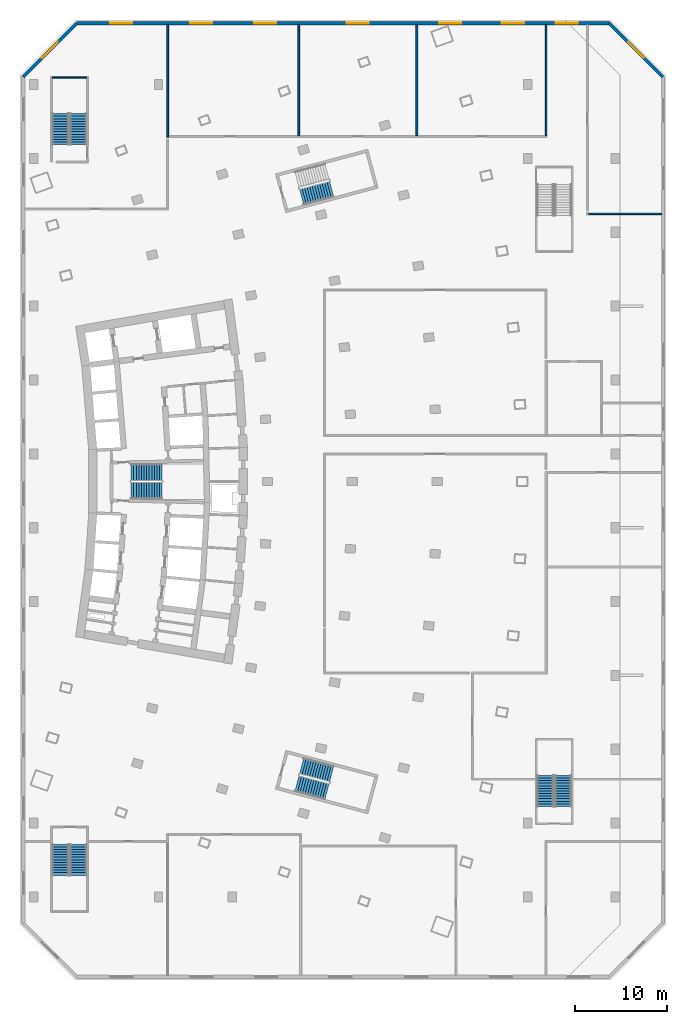
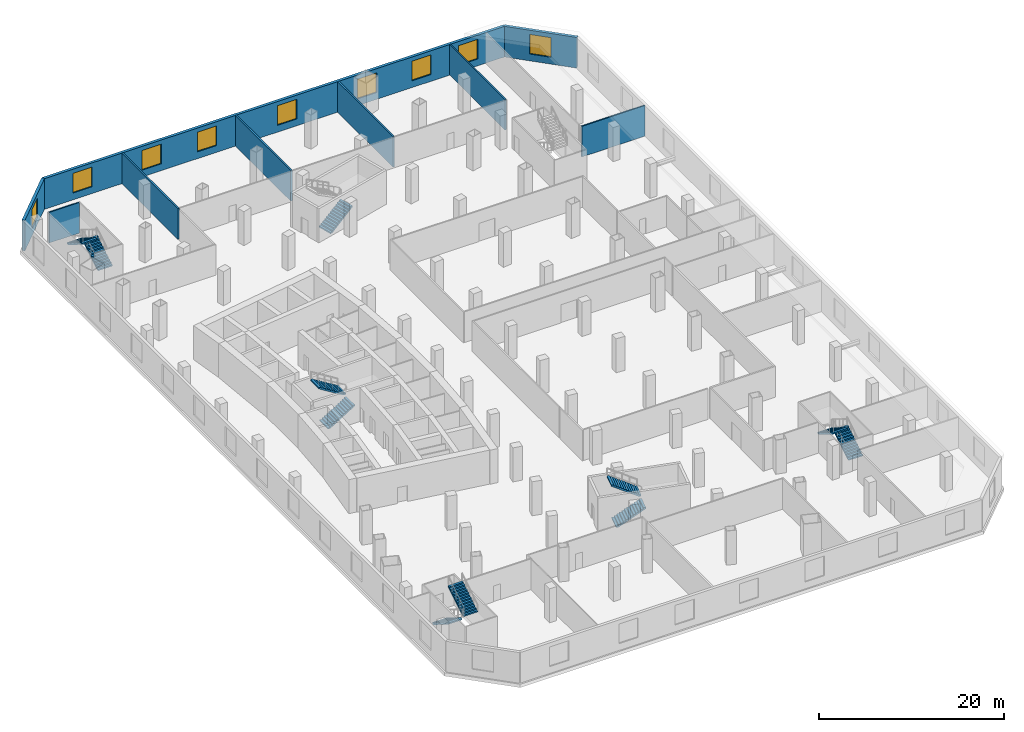
# One storey, part 10 of 16: 11 stair flights, 9 walls, 9 windows, 9 openings, 6 elements without a shape of their own.
"""IFC4 building model written with IfcOpenShell, lengths in metres."""

from ifc_helpers import new_model, si_unit, direction, frame, frame_2d, origin, place, context, subcontext, project, spatial, polyline, rectangle, outline, extrude, material, layer, layer_set, type_object, element, fill, aggregate, save


model = new_model("IFC4")

# Units and contexts
model_context = context("Model", 3, precision=1e-05, world=origin(), true_north=direction((0.0, 1.0)))
body_context = subcontext(model_context, "Body", "Model", "MODEL_VIEW")
ifc_project = project(units=[si_unit("LENGTHUNIT", "METRE"), si_unit("AREAUNIT", "SQUARE_METRE"), si_unit("VOLUMEUNIT", "CUBIC_METRE"), si_unit("PLANEANGLEUNIT", "RADIAN"), si_unit("MASSUNIT", "GRAM", prefix="KILO")], contexts=[model_context])

# Site, building, storey
site_placement = place(None, origin())
site = spatial("IfcSite", under=ifc_project, at=site_placement, CompositionType="ELEMENT")
building_placement = place(site_placement, origin())
building = spatial("IfcBuilding", under=site, at=building_placement, Name="Alderwake Tower", CompositionType="ELEMENT")
storey_placement = place(building_placement, frame((0.0, 0.0, 18.5)))
storey = spatial("IfcBuildingStorey", under=building, at=storey_placement, Name="L03", CompositionType="ELEMENT", Elevation=18.5)

# Walls
ifc_material_1 = material(Name="Gypsum board on metal studs, rated")
ifc_layer_1 = layer(ifc_material_1, 0.159912109375)
ifc_layer_set_1 = layer_set([ifc_layer_1], Name="Corridor wall 160")
wall_type_1 = type_object("IfcWallType", Name="Corridor wall 160", PredefinedType="PARTITIONING", material=ifc_layer_set_1)
wall_1_placement = place(storey_placement, frame((66.0, 110.4990234375, 0.0), z_axis=(0.0, 0.0, 1.0), x_axis=(0.0, -1.0, 0.0)))
element("IfcWall", 1, at=wall_1_placement, inside=storey, type_object=wall_type_1, Name="WL/L03/W50", PredefinedType="PARTITIONING", context=body_context, shape_type="SweptSolid", body=[
    extrude(rectangle(XDim=12.01904296875, YDim=0.159912109375, at=frame_2d((6.009521484375, 0.0))), origin(), (0.0, 0.0, 1.0), 4.050048828125),
])
wall_2_placement = place(storey_placement, frame((78.5009765625, 90.0, 0.0), z_axis=(0.0, 0.0, 1.0), x_axis=(-1.0, 0.0, 0.0)))
element("IfcWall", 2, at=wall_2_placement, inside=storey, type_object=wall_type_1, Name="WL/L03/W57", PredefinedType="PARTITIONING", context=body_context, shape_type="SweptSolid", body=[
    extrude(rectangle(XDim=7.9208984375, YDim=0.159912109375, at=frame_2d((3.96044921875, 0.0))), origin(), (0.0, 0.0, 1.0), 4.050048828125),
])

# Wall, opening, window
ifc_material_2 = material(Name="Precast concrete C50/60 spandrel panel", Category="concrete")
ifc_layer_2 = layer(ifc_material_2, 0.35009765625)
ifc_layer_set_2 = layer_set([ifc_layer_2], Name="External wall EW4 Precast concrete C50/60 podium")
wall_type_2 = type_object("IfcWallType", Name="External wall EW4 Precast concrete C50/60 podium", PredefinedType="SOLIDWALL", material=ifc_layer_set_2)
wall_3_placement = place(storey_placement, frame((78.64990234375, 104.85498046875, 0.0), z_axis=(0.0, 0.0, 1.0), x_axis=(-0.707091913039, 0.707121649021, 0.0)))
wall_3 = element("IfcWall", 3, at=wall_3_placement, inside=storey, type_object=wall_type_2, Name="External wall 4", PredefinedType="SOLIDWALL", context=body_context, shape_type="SweptSolid", body=[
    extrude(rectangle(XDim=8.210205078125, YDim=0.35009765625, at=frame_2d((4.10498046875, 0.0))), origin(), (0.0, 0.0, 1.0), 4.050048828125),
])
opening_1_placement = place(wall_3_placement, frame((2.9052734375, 0.0, 0.89990234375)))
opening_1 = element("IfcOpeningElement", 4, at=opening_1_placement, cuts=wall_3, Name="Opening W6", PredefinedType="OPENING", context=body_context, shape_type="SweptSolid", body=[
    extrude(rectangle(XDim=2.39990234375, YDim=2.60009765625, at=frame_2d((1.199951171875, 1.300048828125))), frame((0.0, 0.18505859375, 0.0), z_axis=(0.0, -1.0, 0.0), x_axis=(1.0, 0.0, 0.0)), (0.0, 0.0, 1.0), 0.3701171875),
])
ifc_material_3 = material(Name="Bronze tinted glass in aluminium frame", Category="aluminium")
window_type = type_object("IfcWindowType", Name="Window W6 podium", PartitioningType="DOUBLE_PANEL_VERTICAL", PredefinedType="WINDOW", material=ifc_material_3)
window_1_placement = place(opening_1_placement, origin())
window_1 = element("IfcWindow", 5, at=window_1_placement, inside=storey, type_object=window_type, Name="Window W6 podium", OverallHeight=2.60009765625, OverallWidth=2.39990234375, PartitioningType="DOUBLE_PANEL_VERTICAL", PredefinedType="WINDOW", context=body_context, shape_type="SweptSolid", body=[
    extrude(rectangle(XDim=2.39990234375, YDim=2.60009765625, at=frame_2d((1.199951171875, 1.300048828125))), frame((0.0, 0.030029296875, 0.0), z_axis=(0.0, -1.0, 0.0), x_axis=(1.0, 0.0, 0.0)), (0.0, 0.0, 1.0), 0.06005859375),
])
fill(opening_1, window_1)

# Wall, openings, windows
wall_4_placement = place(storey_placement, frame((72.85498046875, 110.64990234375, 0.0), z_axis=(0.0, 0.0, 1.0), x_axis=(-1.0, 0.0, 0.0)))
wall_4 = element("IfcWall", 6, at=wall_4_placement, inside=storey, type_object=wall_type_2, Name="External wall 5", PredefinedType="SOLIDWALL", context=body_context, shape_type="SweptSolid", body=[
    extrude(rectangle(XDim=57.72509765625, YDim=0.35009765625, at=frame_2d((28.862548828125, 0.0))), origin(), (0.0, 0.0, 1.0), 4.050048828125),
])
opening_2_placement = place(wall_4_placement, frame((3.405029296875, 0.0, 0.89990234375)))
opening_2 = element("IfcOpeningElement", 7, at=opening_2_placement, cuts=wall_4, Name="Opening W6", PredefinedType="OPENING", context=body_context, shape_type="SweptSolid", body=[
    extrude(rectangle(XDim=2.39990234375, YDim=2.60009765625, at=frame_2d((1.199951171875, 1.300048828125))), frame((0.0, 0.18505859375, 0.0), z_axis=(0.0, -1.0, 0.0), x_axis=(1.0, 0.0, 0.0)), (0.0, 0.0, 1.0), 0.3701171875),
])
opening_3_placement = place(wall_4_placement, frame((9.240234375, 0.0, 0.89990234375)))
opening_3 = element("IfcOpeningElement", 8, at=opening_3_placement, cuts=wall_4, Name="Opening W6", PredefinedType="OPENING", context=body_context, shape_type="SweptSolid", body=[
    extrude(rectangle(XDim=2.39990234375, YDim=2.60009765625, at=frame_2d((1.199951171875, 1.300048828125))), frame((0.0, 0.18505859375, 0.0), z_axis=(0.0, -1.0, 0.0), x_axis=(1.0, 0.0, 0.0)), (0.0, 0.0, 1.0), 0.3701171875),
])
opening_4_placement = place(wall_4_placement, frame((16.05078125, 0.0, 0.89990234375)))
opening_4 = element("IfcOpeningElement", 9, at=opening_4_placement, cuts=wall_4, Name="Opening W6", PredefinedType="OPENING", context=body_context, shape_type="SweptSolid", body=[
    extrude(rectangle(XDim=2.39990234375, YDim=2.60009765625, at=frame_2d((1.199951171875, 1.300048828125))), frame((0.0, 0.18505859375, 0.0), z_axis=(0.0, -1.0, 0.0), x_axis=(1.0, 0.0, 0.0)), (0.0, 0.0, 1.0), 0.3701171875),
])
opening_5_placement = place(wall_4_placement, frame((26.054931640625, 0.0, 0.89990234375)))
opening_5 = element("IfcOpeningElement", 10, at=opening_5_placement, cuts=wall_4, Name="Opening W6", PredefinedType="OPENING", context=body_context, shape_type="SweptSolid", body=[
    extrude(rectangle(XDim=2.39990234375, YDim=2.60009765625, at=frame_2d((1.199951171875, 1.300048828125))), frame((0.0, 0.18505859375, 0.0), z_axis=(0.0, -1.0, 0.0), x_axis=(1.0, 0.0, 0.0)), (0.0, 0.0, 1.0), 0.3701171875),
])
opening_6_placement = place(wall_4_placement, frame((36.1044921875, 0.0, 0.89990234375)))
opening_6 = element("IfcOpeningElement", 11, at=opening_6_placement, cuts=wall_4, Name="Opening W6", PredefinedType="OPENING", context=body_context, shape_type="SweptSolid", body=[
    extrude(rectangle(XDim=2.39990234375, YDim=2.60009765625, at=frame_2d((1.199951171875, 1.300048828125))), frame((0.0, 0.18505859375, 0.0), z_axis=(0.0, -1.0, 0.0), x_axis=(1.0, 0.0, 0.0)), (0.0, 0.0, 1.0), 0.3701171875),
])
opening_7_placement = place(wall_4_placement, frame((43.005615234375, 0.0, 0.89990234375)))
opening_7 = element("IfcOpeningElement", 12, at=opening_7_placement, cuts=wall_4, Name="Opening W6", PredefinedType="OPENING", context=body_context, shape_type="SweptSolid", body=[
    extrude(rectangle(XDim=2.39990234375, YDim=2.60009765625, at=frame_2d((1.199951171875, 1.300048828125))), frame((0.0, 0.18505859375, 0.0), z_axis=(0.0, -1.0, 0.0), x_axis=(1.0, 0.0, 0.0)), (0.0, 0.0, 1.0), 0.3701171875),
])
opening_8_placement = place(wall_4_placement, frame((51.6904296875, 0.0, 0.89990234375)))
opening_8 = element("IfcOpeningElement", 13, at=opening_8_placement, cuts=wall_4, Name="Opening W6", PredefinedType="OPENING", context=body_context, shape_type="SweptSolid", body=[
    extrude(rectangle(XDim=2.39990234375, YDim=2.60009765625, at=frame_2d((1.199951171875, 1.300048828125))), frame((0.0, 0.18505859375, 0.0), z_axis=(0.0, -1.0, 0.0), x_axis=(1.0, 0.0, 0.0)), (0.0, 0.0, 1.0), 0.3701171875),
])
window_2_placement = place(opening_2_placement, origin())
window_2 = element("IfcWindow", 14, at=window_2_placement, inside=storey, type_object=window_type, Name="Window W6 podium", OverallHeight=2.60009765625, OverallWidth=2.39990234375, PartitioningType="DOUBLE_PANEL_VERTICAL", PredefinedType="WINDOW", context=body_context, shape_type="SweptSolid", body=[
    extrude(rectangle(XDim=2.39990234375, YDim=2.60009765625, at=frame_2d((1.199951171875, 1.300048828125))), frame((0.0, 0.030029296875, 0.0), z_axis=(0.0, -1.0, 0.0), x_axis=(1.0, 0.0, 0.0)), (0.0, 0.0, 1.0), 0.06005859375),
])
fill(opening_2, window_2)
window_3_placement = place(opening_3_placement, origin())
window_3 = element("IfcWindow", 15, at=window_3_placement, inside=storey, type_object=window_type, Name="Window W6 podium", OverallHeight=2.60009765625, OverallWidth=2.39990234375, PartitioningType="DOUBLE_PANEL_VERTICAL", PredefinedType="WINDOW", context=body_context, shape_type="SweptSolid", body=[
    extrude(rectangle(XDim=2.39990234375, YDim=2.60009765625, at=frame_2d((1.199951171875, 1.300048828125))), frame((0.0, 0.030029296875, 0.0), z_axis=(0.0, -1.0, 0.0), x_axis=(1.0, 0.0, 0.0)), (0.0, 0.0, 1.0), 0.06005859375),
])
fill(opening_3, window_3)
window_4_placement = place(opening_4_placement, origin())
window_4 = element("IfcWindow", 16, at=window_4_placement, inside=storey, type_object=window_type, Name="Window W6 podium", OverallHeight=2.60009765625, OverallWidth=2.39990234375, PartitioningType="DOUBLE_PANEL_VERTICAL", PredefinedType="WINDOW", context=body_context, shape_type="SweptSolid", body=[
    extrude(rectangle(XDim=2.39990234375, YDim=2.60009765625, at=frame_2d((1.199951171875, 1.300048828125))), frame((0.0, 0.030029296875, 0.0), z_axis=(0.0, -1.0, 0.0), x_axis=(1.0, 0.0, 0.0)), (0.0, 0.0, 1.0), 0.06005859375),
])
fill(opening_4, window_4)
window_5_placement = place(opening_5_placement, origin())
window_5 = element("IfcWindow", 17, at=window_5_placement, inside=storey, type_object=window_type, Name="Window W6 podium", OverallHeight=2.60009765625, OverallWidth=2.39990234375, PartitioningType="DOUBLE_PANEL_VERTICAL", PredefinedType="WINDOW", context=body_context, shape_type="SweptSolid", body=[
    extrude(rectangle(XDim=2.39990234375, YDim=2.60009765625, at=frame_2d((1.199951171875, 1.300048828125))), frame((0.0, 0.030029296875, 0.0), z_axis=(0.0, -1.0, 0.0), x_axis=(1.0, 0.0, 0.0)), (0.0, 0.0, 1.0), 0.06005859375),
])
fill(opening_5, window_5)
window_6_placement = place(opening_6_placement, origin())
window_6 = element("IfcWindow", 18, at=window_6_placement, inside=storey, type_object=window_type, Name="Window W6 podium", OverallHeight=2.60009765625, OverallWidth=2.39990234375, PartitioningType="DOUBLE_PANEL_VERTICAL", PredefinedType="WINDOW", context=body_context, shape_type="SweptSolid", body=[
    extrude(rectangle(XDim=2.39990234375, YDim=2.60009765625, at=frame_2d((1.199951171875, 1.300048828125))), frame((0.0, 0.030029296875, 0.0), z_axis=(0.0, -1.0, 0.0), x_axis=(1.0, 0.0, 0.0)), (0.0, 0.0, 1.0), 0.06005859375),
])
fill(opening_6, window_6)
window_7_placement = place(opening_7_placement, origin())
window_7 = element("IfcWindow", 19, at=window_7_placement, inside=storey, type_object=window_type, Name="Window W6 podium", OverallHeight=2.60009765625, OverallWidth=2.39990234375, PartitioningType="DOUBLE_PANEL_VERTICAL", PredefinedType="WINDOW", context=body_context, shape_type="SweptSolid", body=[
    extrude(rectangle(XDim=2.39990234375, YDim=2.60009765625, at=frame_2d((1.199951171875, 1.300048828125))), frame((0.0, 0.030029296875, 0.0), z_axis=(0.0, -1.0, 0.0), x_axis=(1.0, 0.0, 0.0)), (0.0, 0.0, 1.0), 0.06005859375),
])
fill(opening_7, window_7)
window_8_placement = place(opening_8_placement, origin())
window_8 = element("IfcWindow", 20, at=window_8_placement, inside=storey, type_object=window_type, Name="Window W6 podium", OverallHeight=2.60009765625, OverallWidth=2.39990234375, PartitioningType="DOUBLE_PANEL_VERTICAL", PredefinedType="WINDOW", context=body_context, shape_type="SweptSolid", body=[
    extrude(rectangle(XDim=2.39990234375, YDim=2.60009765625, at=frame_2d((1.199951171875, 1.300048828125))), frame((0.0, 0.030029296875, 0.0), z_axis=(0.0, -1.0, 0.0), x_axis=(1.0, 0.0, 0.0)), (0.0, 0.0, 1.0), 0.06005859375),
])
fill(opening_8, window_8)

# Wall, opening, window
wall_5_placement = place(storey_placement, frame((15.14501953125, 110.64990234375, 0.0), z_axis=(0.0, 0.0, 1.0), x_axis=(-0.707121649021, -0.707091913039, 0.0)))
wall_5 = element("IfcWall", 21, at=wall_5_placement, inside=storey, type_object=wall_type_2, Name="External wall 6", PredefinedType="SOLIDWALL", context=body_context, shape_type="SweptSolid", body=[
    extrude(rectangle(XDim=8.210205078125, YDim=0.35009765625, at=frame_2d((4.10498046875, 0.0))), origin(), (0.0, 0.0, 1.0), 4.050048828125),
])
opening_9_placement = place(wall_5_placement, frame((2.9052734375, 0.0, 0.89990234375)))
opening_9 = element("IfcOpeningElement", 22, at=opening_9_placement, cuts=wall_5, Name="Opening W6", PredefinedType="OPENING", context=body_context, shape_type="SweptSolid", body=[
    extrude(rectangle(XDim=2.39990234375, YDim=2.60009765625, at=frame_2d((1.199951171875, 1.300048828125))), frame((0.0, 0.18505859375, 0.0), z_axis=(0.0, -1.0, 0.0), x_axis=(1.0, 0.0, 0.0)), (0.0, 0.0, 1.0), 0.3701171875),
])
window_9_placement = place(opening_9_placement, origin())
window_9 = element("IfcWindow", 23, at=window_9_placement, inside=storey, type_object=window_type, Name="Window W6 podium", OverallHeight=2.60009765625, OverallWidth=2.39990234375, PartitioningType="DOUBLE_PANEL_VERTICAL", PredefinedType="WINDOW", context=body_context, shape_type="SweptSolid", body=[
    extrude(rectangle(XDim=2.39990234375, YDim=2.60009765625, at=frame_2d((1.199951171875, 1.300048828125))), frame((0.0, 0.030029296875, 0.0), z_axis=(0.0, -1.0, 0.0), x_axis=(1.0, 0.0, 0.0)), (0.0, 0.0, 1.0), 0.06005859375),
])
fill(opening_9, window_9)

# Walls
ifc_material_4 = material(Name="Dense block masonry wall", Category="masonry")
ifc_layer_3 = layer(ifc_material_4, 0.199951171875)
ifc_layer_set_3 = layer_set([ifc_layer_3], Name="Party wall 200")
wall_type_3 = type_object("IfcWallType", Name="Party wall 200", PredefinedType="SOLIDWALL", material=ifc_layer_set_3)
wall_6_placement = place(storey_placement, frame((24.9990234375, 98.320068359375, 0.0), z_axis=(0.0, 0.0, 1.0), x_axis=(0.0, 1.0, 0.0)))
element("IfcWall", 24, at=wall_6_placement, inside=storey, type_object=wall_type_3, Name="WL/L03/W01", PredefinedType="SOLIDWALL", context=body_context, shape_type="SweptSolid", body=[
    extrude(rectangle(XDim=12.178955078125, YDim=0.199951171875, at=frame_2d((6.08935546875, 0.0))), origin(), (0.0, 0.0, 1.0), 4.050048828125),
])
for number, where, z_axis, x_axis, name in (
    (25, (39.200927734375, 98.47998046875, 0.0), (0.0, 0.0, 1.0), (0.0, 1.0, 0.0), "WL/L03/W02"),
    (26, (51.9990234375, 98.47998046875, 0.0), (0.0, 0.0, 1.0), (0.0, 1.0, 0.0), "WL/L03/W04"),
):
    element("IfcWall", number, at=place(storey_placement, frame(where, z_axis=z_axis, x_axis=x_axis)), inside=storey, type_object=wall_type_3, Name=name, PredefinedType="SOLIDWALL", context=body_context, shape_type="SweptSolid", body=[
        extrude(rectangle(XDim=12.01904296875, YDim=0.199951171875, at=frame_2d((6.009521484375, 0.0))), origin(), (0.0, 0.0, 1.0), 4.050048828125),
    ])
ifc_material_5 = material(Name="Concrete C40/50", Category="concrete")
ifc_layer_4 = layer(ifc_material_5, 0.14990234375)
ifc_layer_set_4 = layer_set([ifc_layer_4], Name="Stair shaft wall 150 C40/50")
wall_type_4 = type_object("IfcWallType", Name="Stair shaft wall 150 C40/50", PredefinedType="SHEAR", material=ifc_layer_set_4)
wall_7_placement = place(storey_placement, frame((16.2509765625, 104.77490234375, 0.0), z_axis=(0.0, 0.0, 1.0), x_axis=(-1.0, 0.0, 0.0)))
element("IfcWall", 27, at=wall_7_placement, inside=storey, type_object=wall_type_4, Name="WL/L03/W16", PredefinedType="SHEAR", context=body_context, shape_type="SweptSolid", body=[
    extrude(rectangle(XDim=3.75, YDim=0.14990234375, at=frame_2d((1.875, 0.0))), origin(), (0.0, 0.0, 1.0), 4.050048828125),
])

# Stair, stair flights
ifc_material_6 = material(Name="Concrete C40/50", Category="concrete")
stair_type_1 = type_object("IfcStairType", Name="Core exit stair", PredefinedType="HALF_TURN_STAIR", material=ifc_material_6)
stair_1_placement = place(storey_placement, origin())
stair_1 = element("IfcStair", 28, at=stair_1_placement, inside=storey, type_object=stair_type_1, Name="L03 Exit Stair B", PredefinedType="HALF_TURN_STAIR")
ifc_material_7 = material(Name="Concrete C40/50", Category="concrete")
ifc_layer_5 = layer(ifc_material_7, 0.14990234375)
ifc_layer_set_5 = layer_set([ifc_layer_5], Name="Core stair flight")
stair_flight_type = type_object("IfcStairFlightType", Name="Core stair flight", PredefinedType="STRAIGHT", material=ifc_layer_set_5)
stair_flight_1_placement = place(storey_placement, frame((21.0400390625, 60.02490234375, 0.0), z_axis=(0.0, 0.0, 1.0), x_axis=(1.0, 0.0, 0.0)))
stair_flight_1 = element("IfcStairFlight", 29, at=stair_flight_1_placement, type_object=stair_flight_type, Name="ST-B flight 1", NumberOfRisers=13, NumberOfTreads=12, PredefinedType="STRAIGHT", RiserHeight=0.173076923, TreadLength=0.28, context=body_context, shape_type="SweptSolid", body=[
    extrude(outline(polyline([(0.0, 0.0), (0.0, 0.173095703125), (0.280029296875, 0.173095703125), (0.280029296875, 0.34619140625), (0.56005859375, 0.34619140625), (0.56005859375, 0.519287109375), (0.840087890625, 0.519287109375), (0.840087890625, 0.6923828125), (1.1201171875, 0.6923828125), (1.1201171875, 0.865478515625), (1.39990234375, 0.865478515625), (1.39990234375, 1.03857421875), (1.679931640625, 1.03857421875), (1.679931640625, 1.21142578125), (1.9599609375, 1.21142578125), (1.9599609375, 1.384521484375), (2.239990234375, 1.384521484375), (2.239990234375, 1.5576171875), (2.52001953125, 1.5576171875), (2.52001953125, 1.730712890625), (2.800048828125, 1.730712890625), (2.800048828125, 1.90380859375), (3.080078125, 1.90380859375), (3.080078125, 2.076904296875), (3.360107421875, 2.076904296875), (3.360107421875, 2.25), (3.360107421875, 1.900634765625), (0.28515625, 0.0), (0.0, 0.0)])), frame((0.0, 0.89990234375, 0.0), z_axis=(0.0, -1.0, 0.0), x_axis=(1.0, 0.0, 0.0)), (0.0, 0.0, 1.0), 1.800048828125),
])
stair_flight_2_placement = place(storey_placement, frame((24.39990234375, 61.97509765625, 2.25), z_axis=(0.0, 0.0, 1.0), x_axis=(-1.0, 0.0, 0.0)))
stair_flight_2 = element("IfcStairFlight", 30, at=stair_flight_2_placement, type_object=stair_flight_type, Name="ST-B flight 2", NumberOfRisers=13, NumberOfTreads=12, PredefinedType="STRAIGHT", RiserHeight=0.173076923, TreadLength=0.28, context=body_context, shape_type="SweptSolid", body=[
    extrude(outline(polyline([(0.0, 0.0), (0.0, 0.173095703125), (0.280029296875, 0.173095703125), (0.280029296875, 0.34619140625), (0.56005859375, 0.34619140625), (0.56005859375, 0.519287109375), (0.840087890625, 0.519287109375), (0.840087890625, 0.6923828125), (1.1201171875, 0.6923828125), (1.1201171875, 0.865478515625), (1.39990234375, 0.865478515625), (1.39990234375, 1.03857421875), (1.679931640625, 1.03857421875), (1.679931640625, 1.21142578125), (1.9599609375, 1.21142578125), (1.9599609375, 1.384521484375), (2.239990234375, 1.384521484375), (2.239990234375, 1.5576171875), (2.52001953125, 1.5576171875), (2.52001953125, 1.730712890625), (2.800048828125, 1.730712890625), (2.800048828125, 1.90380859375), (3.080078125, 1.90380859375), (3.080078125, 2.076904296875), (3.360107421875, 2.076904296875), (3.360107421875, 2.25), (3.360107421875, 1.900634765625), (0.28515625, 0.0), (0.0, 0.0)])), frame((0.0, 0.89990234375, 0.0), z_axis=(0.0, -1.0, 0.0), x_axis=(1.0, 0.0, 0.0)), (0.0, 0.0, 1.0), 1.800048828125),
])
aggregate(stair_1, [stair_flight_1, stair_flight_2])

# Stair, stair flight
stair_2_placement = place(storey_placement, origin())
stair_2 = element("IfcStair", 31, at=stair_2_placement, inside=storey, type_object=stair_type_1, Name="L03 Exit Stair A", PredefinedType="HALF_TURN_STAIR")
stair_flight_3_placement = place(storey_placement, frame((39.512939453125, 91.823974609375, 0.0), z_axis=(0.0, 0.0, 1.0), x_axis=(0.966309627437, 0.257382407951, 0.0)))
stair_flight_3 = element("IfcStairFlight", 32, at=stair_flight_3_placement, type_object=stair_flight_type, Name="ST-A flight 1", NumberOfRisers=13, NumberOfTreads=12, PredefinedType="STRAIGHT", RiserHeight=0.173076923, TreadLength=0.28, context=body_context, shape_type="SweptSolid", body=[
    extrude(outline(polyline([(0.0, 0.0), (0.0, 0.173095703125), (0.280029296875, 0.173095703125), (0.280029296875, 0.34619140625), (0.56005859375, 0.34619140625), (0.56005859375, 0.519287109375), (0.840087890625, 0.519287109375), (0.840087890625, 0.6923828125), (1.1201171875, 0.6923828125), (1.1201171875, 0.865478515625), (1.39990234375, 0.865478515625), (1.39990234375, 1.03857421875), (1.679931640625, 1.03857421875), (1.679931640625, 1.21142578125), (1.9599609375, 1.21142578125), (1.9599609375, 1.384521484375), (2.239990234375, 1.384521484375), (2.239990234375, 1.5576171875), (2.52001953125, 1.5576171875), (2.52001953125, 1.730712890625), (2.800048828125, 1.730712890625), (2.800048828125, 1.90380859375), (3.080078125, 1.90380859375), (3.080078125, 2.076904296875), (3.360107421875, 2.076904296875), (3.360107421875, 2.25), (3.360107421875, 1.900634765625), (0.28515625, 0.0), (0.0, 0.0)])), frame((0.0, 0.89990234375, 0.0), z_axis=(0.0, -1.0, 0.0), x_axis=(1.0, 0.0, 0.0)), (0.0, 0.0, 1.0), 1.800048828125),
])
aggregate(stair_2, [stair_flight_3])

# Stair, stair flights
stair_3_placement = place(storey_placement, origin())
stair_3 = element("IfcStair", 33, at=stair_3_placement, inside=storey, type_object=stair_type_1, Name="L03 Exit Stair C", PredefinedType="HALF_TURN_STAIR")
stair_flight_4_placement = place(storey_placement, frame((39.010986328125, 28.291748046875, 0.0), z_axis=(0.0, 0.0, 1.0), x_axis=(0.966309627437, -0.257382407951, 0.0)))
stair_flight_4 = element("IfcStairFlight", 34, at=stair_flight_4_placement, type_object=stair_flight_type, Name="ST-C flight 1", NumberOfRisers=13, NumberOfTreads=12, PredefinedType="STRAIGHT", RiserHeight=0.173076923, TreadLength=0.28, context=body_context, shape_type="SweptSolid", body=[
    extrude(outline(polyline([(0.0, 0.0), (0.0, 0.173095703125), (0.280029296875, 0.173095703125), (0.280029296875, 0.34619140625), (0.56005859375, 0.34619140625), (0.56005859375, 0.519287109375), (0.840087890625, 0.519287109375), (0.840087890625, 0.6923828125), (1.1201171875, 0.6923828125), (1.1201171875, 0.865478515625), (1.39990234375, 0.865478515625), (1.39990234375, 1.03857421875), (1.679931640625, 1.03857421875), (1.679931640625, 1.21142578125), (1.9599609375, 1.21142578125), (1.9599609375, 1.384521484375), (2.239990234375, 1.384521484375), (2.239990234375, 1.5576171875), (2.52001953125, 1.5576171875), (2.52001953125, 1.730712890625), (2.800048828125, 1.730712890625), (2.800048828125, 1.90380859375), (3.080078125, 1.90380859375), (3.080078125, 2.076904296875), (3.360107421875, 2.076904296875), (3.360107421875, 2.25), (3.360107421875, 1.900634765625), (0.28515625, 0.0), (0.0, 0.0)])), frame((0.0, 0.89990234375, 0.0), z_axis=(0.0, -1.0, 0.0), x_axis=(1.0, 0.0, 0.0)), (0.0, 0.0, 1.0), 1.800048828125),
])
stair_flight_5_placement = place(storey_placement, frame((42.759765625, 29.311279296875, 2.25), z_axis=(0.0, 0.0, 1.0), x_axis=(-0.966309627437, 0.257382407951, 0.0)))
stair_flight_5 = element("IfcStairFlight", 35, at=stair_flight_5_placement, type_object=stair_flight_type, Name="ST-C flight 2", NumberOfRisers=13, NumberOfTreads=12, PredefinedType="STRAIGHT", RiserHeight=0.173076923, TreadLength=0.28, context=body_context, shape_type="SweptSolid", body=[
    extrude(outline(polyline([(0.0, 0.0), (0.0, 0.173095703125), (0.280029296875, 0.173095703125), (0.280029296875, 0.34619140625), (0.56005859375, 0.34619140625), (0.56005859375, 0.519287109375), (0.840087890625, 0.519287109375), (0.840087890625, 0.6923828125), (1.1201171875, 0.6923828125), (1.1201171875, 0.865478515625), (1.39990234375, 0.865478515625), (1.39990234375, 1.03857421875), (1.679931640625, 1.03857421875), (1.679931640625, 1.21142578125), (1.9599609375, 1.21142578125), (1.9599609375, 1.384521484375), (2.239990234375, 1.384521484375), (2.239990234375, 1.5576171875), (2.52001953125, 1.5576171875), (2.52001953125, 1.730712890625), (2.800048828125, 1.730712890625), (2.800048828125, 1.90380859375), (3.080078125, 1.90380859375), (3.080078125, 2.076904296875), (3.360107421875, 2.076904296875), (3.360107421875, 2.25), (3.360107421875, 1.900634765625), (0.28515625, 0.0), (0.0, 0.0)])), frame((0.0, 0.89990234375, 0.0), z_axis=(0.0, -1.0, 0.0), x_axis=(1.0, 0.0, 0.0)), (0.0, 0.0, 1.0), 1.800048828125),
])
aggregate(stair_3, [stair_flight_4, stair_flight_5])

ifc_material_8 = material(Name="Concrete C40/50", Category="concrete")
stair_type_2 = type_object("IfcStairType", Name="Exit stair 1800 half-turn", PredefinedType="HALF_TURN_STAIR", material=ifc_material_8)
stair_4_placement = place(storey_placement, origin())
stair_4 = element("IfcStair", 36, at=stair_4_placement, inside=storey, type_object=stair_type_2, Name="L03 Podium stair P1", PredefinedType="HALF_TURN_STAIR")
stair_flight_6_placement = place(storey_placement, frame((13.39990234375, 21.699951171875, 0.0), z_axis=(0.0, 0.0, 1.0), x_axis=(0.0, -1.0, 0.0)))
stair_flight_6 = element("IfcStairFlight", 37, at=stair_flight_6_placement, type_object=stair_flight_type, Name="ST-P1 flight 1", NumberOfRisers=13, NumberOfTreads=12, PredefinedType="STRAIGHT", RiserHeight=0.173076923, TreadLength=0.28, context=body_context, shape_type="SweptSolid", body=[
    extrude(outline(polyline([(0.0, 0.0), (0.0, 0.173095703125), (0.280029296875, 0.173095703125), (0.280029296875, 0.34619140625), (0.56005859375, 0.34619140625), (0.56005859375, 0.519287109375), (0.840087890625, 0.519287109375), (0.840087890625, 0.6923828125), (1.1201171875, 0.6923828125), (1.1201171875, 0.865478515625), (1.39990234375, 0.865478515625), (1.39990234375, 1.03857421875), (1.679931640625, 1.03857421875), (1.679931640625, 1.21142578125), (1.9599609375, 1.21142578125), (1.9599609375, 1.384521484375), (2.239990234375, 1.384521484375), (2.239990234375, 1.5576171875), (2.52001953125, 1.5576171875), (2.52001953125, 1.730712890625), (2.800048828125, 1.730712890625), (2.800048828125, 1.90380859375), (3.080078125, 1.90380859375), (3.080078125, 2.076904296875), (3.360107421875, 2.076904296875), (3.360107421875, 2.25), (3.360107421875, 1.900634765625), (0.28515625, 0.0), (0.0, 0.0)])), frame((0.0, 0.89990234375, 0.0), z_axis=(0.0, -1.0, 0.0), x_axis=(1.0, 0.0, 0.0)), (0.0, 0.0, 1.0), 1.800048828125),
])
stair_flight_7_placement = place(storey_placement, frame((15.35009765625, 18.340087890625, 2.25), z_axis=(0.0, 0.0, 1.0), x_axis=(0.0, 1.0, 0.0)))
stair_flight_7 = element("IfcStairFlight", 38, at=stair_flight_7_placement, type_object=stair_flight_type, Name="ST-P1 flight 2", NumberOfRisers=13, NumberOfTreads=12, PredefinedType="STRAIGHT", RiserHeight=0.173076923, TreadLength=0.28, context=body_context, shape_type="SweptSolid", body=[
    extrude(outline(polyline([(0.0, 0.0), (0.0, 0.173095703125), (0.280029296875, 0.173095703125), (0.280029296875, 0.34619140625), (0.56005859375, 0.34619140625), (0.56005859375, 0.519287109375), (0.840087890625, 0.519287109375), (0.840087890625, 0.6923828125), (1.1201171875, 0.6923828125), (1.1201171875, 0.865478515625), (1.39990234375, 0.865478515625), (1.39990234375, 1.03857421875), (1.679931640625, 1.03857421875), (1.679931640625, 1.21142578125), (1.9599609375, 1.21142578125), (1.9599609375, 1.384521484375), (2.239990234375, 1.384521484375), (2.239990234375, 1.5576171875), (2.52001953125, 1.5576171875), (2.52001953125, 1.730712890625), (2.800048828125, 1.730712890625), (2.800048828125, 1.90380859375), (3.080078125, 1.90380859375), (3.080078125, 2.076904296875), (3.360107421875, 2.076904296875), (3.360107421875, 2.25), (3.360107421875, 1.900634765625), (0.28515625, 0.0), (0.0, 0.0)])), frame((0.0, 0.89990234375, 0.0), z_axis=(0.0, -1.0, 0.0), x_axis=(1.0, 0.0, 0.0)), (0.0, 0.0, 1.0), 1.800048828125),
])
aggregate(stair_4, [stair_flight_6, stair_flight_7])

stair_5_placement = place(storey_placement, origin())
stair_5 = element("IfcStair", 39, at=stair_5_placement, inside=storey, type_object=stair_type_2, Name="L03 Podium stair P2", PredefinedType="HALF_TURN_STAIR")
stair_flight_8_placement = place(storey_placement, frame((15.35009765625, 97.5, 0.0), z_axis=(0.0, 0.0, 1.0), x_axis=(0.0, 1.0, 0.0)))
stair_flight_8 = element("IfcStairFlight", 40, at=stair_flight_8_placement, type_object=stair_flight_type, Name="ST-P2 flight 1", NumberOfRisers=13, NumberOfTreads=12, PredefinedType="STRAIGHT", RiserHeight=0.173076923, TreadLength=0.28, context=body_context, shape_type="SweptSolid", body=[
    extrude(outline(polyline([(0.0, 0.0), (0.0, 0.173095703125), (0.280029296875, 0.173095703125), (0.280029296875, 0.34619140625), (0.56005859375, 0.34619140625), (0.56005859375, 0.519287109375), (0.840087890625, 0.519287109375), (0.840087890625, 0.6923828125), (1.1201171875, 0.6923828125), (1.1201171875, 0.865478515625), (1.39990234375, 0.865478515625), (1.39990234375, 1.03857421875), (1.679931640625, 1.03857421875), (1.679931640625, 1.21142578125), (1.9599609375, 1.21142578125), (1.9599609375, 1.384521484375), (2.239990234375, 1.384521484375), (2.239990234375, 1.5576171875), (2.52001953125, 1.5576171875), (2.52001953125, 1.730712890625), (2.800048828125, 1.730712890625), (2.800048828125, 1.90380859375), (3.080078125, 1.90380859375), (3.080078125, 2.076904296875), (3.360107421875, 2.076904296875), (3.360107421875, 2.25), (3.360107421875, 1.900634765625), (0.28515625, 0.0), (0.0, 0.0)])), frame((0.0, 0.89990234375, 0.0), z_axis=(0.0, -1.0, 0.0), x_axis=(1.0, 0.0, 0.0)), (0.0, 0.0, 1.0), 1.800048828125),
])
stair_flight_9_placement = place(storey_placement, frame((13.39990234375, 100.860107421875, 2.25), z_axis=(0.0, 0.0, 1.0), x_axis=(0.0, -1.0, 0.0)))
stair_flight_9 = element("IfcStairFlight", 41, at=stair_flight_9_placement, type_object=stair_flight_type, Name="ST-P2 flight 2", NumberOfRisers=13, NumberOfTreads=12, PredefinedType="STRAIGHT", RiserHeight=0.173076923, TreadLength=0.28, context=body_context, shape_type="SweptSolid", body=[
    extrude(outline(polyline([(0.0, 0.0), (0.0, 0.173095703125), (0.280029296875, 0.173095703125), (0.280029296875, 0.34619140625), (0.56005859375, 0.34619140625), (0.56005859375, 0.519287109375), (0.840087890625, 0.519287109375), (0.840087890625, 0.6923828125), (1.1201171875, 0.6923828125), (1.1201171875, 0.865478515625), (1.39990234375, 0.865478515625), (1.39990234375, 1.03857421875), (1.679931640625, 1.03857421875), (1.679931640625, 1.21142578125), (1.9599609375, 1.21142578125), (1.9599609375, 1.384521484375), (2.239990234375, 1.384521484375), (2.239990234375, 1.5576171875), (2.52001953125, 1.5576171875), (2.52001953125, 1.730712890625), (2.800048828125, 1.730712890625), (2.800048828125, 1.90380859375), (3.080078125, 1.90380859375), (3.080078125, 2.076904296875), (3.360107421875, 2.076904296875), (3.360107421875, 2.25), (3.360107421875, 1.900634765625), (0.28515625, 0.0), (0.0, 0.0)])), frame((0.0, 0.89990234375, 0.0), z_axis=(0.0, -1.0, 0.0), x_axis=(1.0, 0.0, 0.0)), (0.0, 0.0, 1.0), 1.800048828125),
])
aggregate(stair_5, [stair_flight_8, stair_flight_9])

stair_6_placement = place(storey_placement, origin())
stair_6 = element("IfcStair", 42, at=stair_6_placement, inside=storey, type_object=stair_type_2, Name="L03 Podium stair P4", PredefinedType="HALF_TURN_STAIR")
stair_flight_10_placement = place(storey_placement, frame((67.85009765625, 25.800048828125, 0.0), z_axis=(0.0, 0.0, 1.0), x_axis=(0.0, 1.0, 0.0)))
stair_flight_10 = element("IfcStairFlight", 43, at=stair_flight_10_placement, type_object=stair_flight_type, Name="ST-P4 flight 1", NumberOfRisers=13, NumberOfTreads=12, PredefinedType="STRAIGHT", RiserHeight=0.173076923, TreadLength=0.28, context=body_context, shape_type="SweptSolid", body=[
    extrude(outline(polyline([(0.0, 0.0), (0.0, 0.173095703125), (0.280029296875, 0.173095703125), (0.280029296875, 0.34619140625), (0.56005859375, 0.34619140625), (0.56005859375, 0.519287109375), (0.840087890625, 0.519287109375), (0.840087890625, 0.6923828125), (1.1201171875, 0.6923828125), (1.1201171875, 0.865478515625), (1.39990234375, 0.865478515625), (1.39990234375, 1.03857421875), (1.679931640625, 1.03857421875), (1.679931640625, 1.21142578125), (1.9599609375, 1.21142578125), (1.9599609375, 1.384521484375), (2.239990234375, 1.384521484375), (2.239990234375, 1.5576171875), (2.52001953125, 1.5576171875), (2.52001953125, 1.730712890625), (2.800048828125, 1.730712890625), (2.800048828125, 1.90380859375), (3.080078125, 1.90380859375), (3.080078125, 2.076904296875), (3.360107421875, 2.076904296875), (3.360107421875, 2.25), (3.360107421875, 1.900634765625), (0.28515625, 0.0), (0.0, 0.0)])), frame((0.0, 0.89990234375, 0.0), z_axis=(0.0, -1.0, 0.0), x_axis=(1.0, 0.0, 0.0)), (0.0, 0.0, 1.0), 1.800048828125),
])
stair_flight_11_placement = place(storey_placement, frame((65.89990234375, 29.159912109375, 2.25), z_axis=(0.0, 0.0, 1.0), x_axis=(0.0, -1.0, 0.0)))
stair_flight_11 = element("IfcStairFlight", 44, at=stair_flight_11_placement, type_object=stair_flight_type, Name="ST-P4 flight 2", NumberOfRisers=13, NumberOfTreads=12, PredefinedType="STRAIGHT", RiserHeight=0.173076923, TreadLength=0.28, context=body_context, shape_type="SweptSolid", body=[
    extrude(outline(polyline([(0.0, 0.0), (0.0, 0.173095703125), (0.280029296875, 0.173095703125), (0.280029296875, 0.34619140625), (0.56005859375, 0.34619140625), (0.56005859375, 0.519287109375), (0.840087890625, 0.519287109375), (0.840087890625, 0.6923828125), (1.1201171875, 0.6923828125), (1.1201171875, 0.865478515625), (1.39990234375, 0.865478515625), (1.39990234375, 1.03857421875), (1.679931640625, 1.03857421875), (1.679931640625, 1.21142578125), (1.9599609375, 1.21142578125), (1.9599609375, 1.384521484375), (2.239990234375, 1.384521484375), (2.239990234375, 1.5576171875), (2.52001953125, 1.5576171875), (2.52001953125, 1.730712890625), (2.800048828125, 1.730712890625), (2.800048828125, 1.90380859375), (3.080078125, 1.90380859375), (3.080078125, 2.076904296875), (3.360107421875, 2.076904296875), (3.360107421875, 2.25), (3.360107421875, 1.900634765625), (0.28515625, 0.0), (0.0, 0.0)])), frame((0.0, 0.89990234375, 0.0), z_axis=(0.0, -1.0, 0.0), x_axis=(1.0, 0.0, 0.0)), (0.0, 0.0, 1.0), 1.800048828125),
])
aggregate(stair_6, [stair_flight_10, stair_flight_11])

save(model, "model.ifc")
